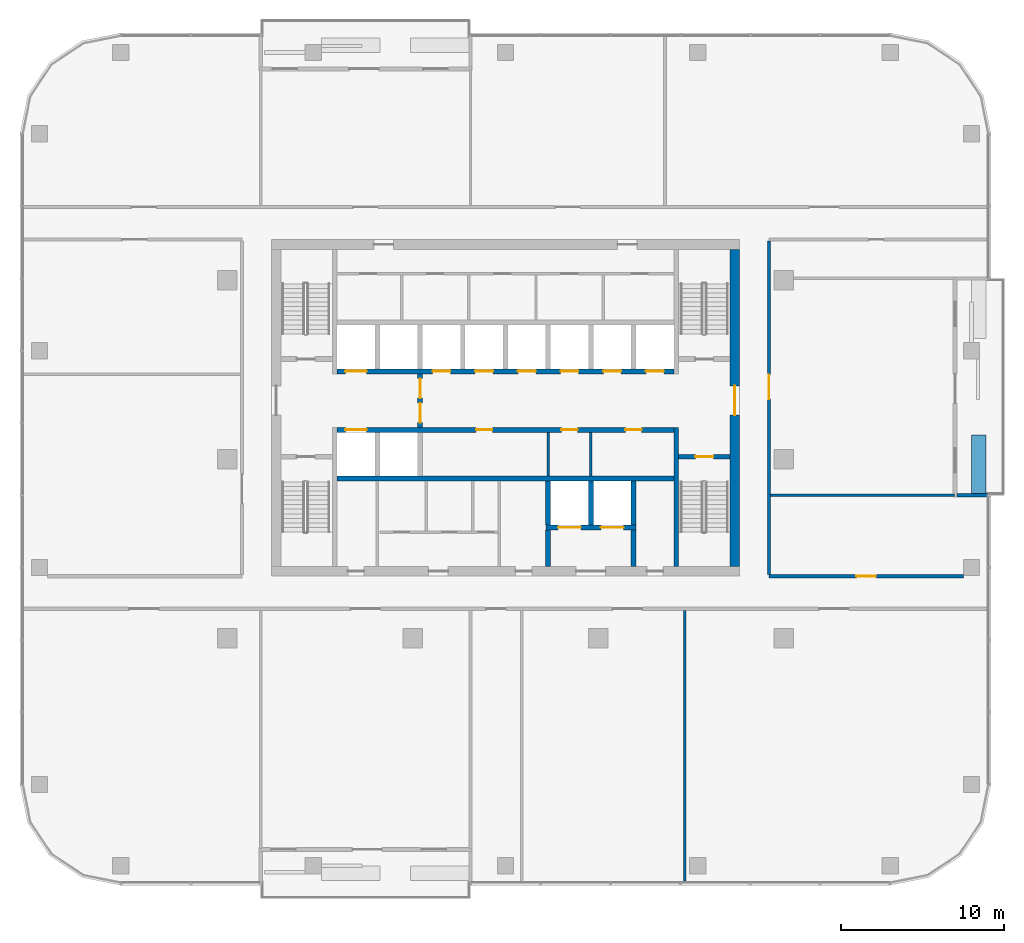
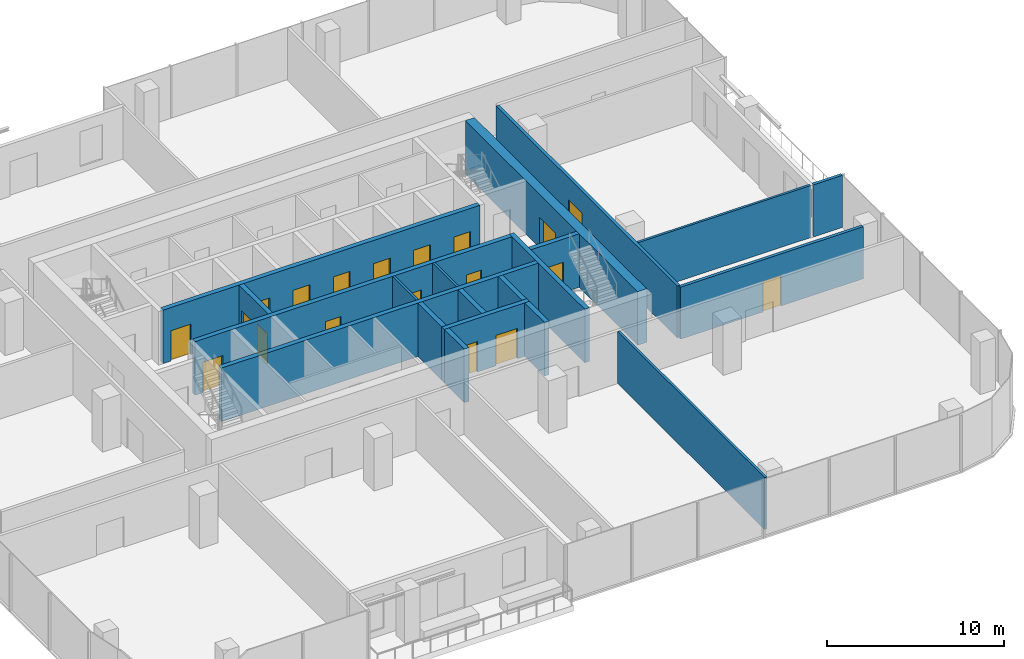
# One storey, part 8 of 13: 21 walls, 19 doors, 19 openings.
"""IFC4 building model written with IfcOpenShell, lengths in metres."""

import ifcopenshell
import ifcopenshell.guid

model = None  # the IFC model being written
_history = None  # IfcOwnerHistory: only IFC2X3 demands one
_inside = {}  # id of a spatial element -> (the spatial element, [elements in it])
_under = {}  # id of a project, library or spatial element -> (it, [spatial elements below it])
_declared = {}  # id of a project -> (the project, [libraries it declares])
_typed = {}  # id of a type object -> (the type object, [elements of that type])
_made_of = {}  # id of a material, layer set ... -> (it, [elements and type objects made of it])


def new_model(schema):
    """Start an empty IFC model of exactly this schema.

    Asked for "IFC4X3", IfcOpenShell would pick the latest addendum, in which some entities
    have other attributes; the version numbers below select the first issue.
    IFC2X3 requires an IfcOwnerHistory on every rooted entity: one is made here for all.
    """
    global model, _history
    if schema == "IFC4X3":
        model = ifcopenshell.file(schema_version=(4, 3, 0, 0))
    else:
        model = ifcopenshell.file(schema=schema)
    _inside.clear()
    _under.clear()
    _declared.clear()
    _typed.clear()
    _made_of.clear()
    _history = None
    if model.schema == "IFC2X3":
        org = make("IfcOrganization", Name="unknown")
        user = make(
            "IfcPersonAndOrganization",
            ThePerson=make("IfcPerson", FamilyName="unknown"),
            TheOrganization=org,
        )
        app = make(
            "IfcApplication",
            ApplicationDeveloper=org,
            Version="unknown",
            ApplicationFullName="unknown",
            ApplicationIdentifier="unknown",
        )
        _history = make(
            "IfcOwnerHistory",
            OwningUser=user,
            OwningApplication=app,
            ChangeAction="ADDED",
            CreationDate=0,
        )
    return model


def make(cls, **values):
    """One entity of the class cls with the attributes given. An attribute that is None is left unset."""
    return model.create_entity(
        cls, **{name: value for name, value in values.items() if value is not None}
    )


def rooted(cls, **values):
    """An entity with a GlobalId (a new one), such as an element, a storey or a relation."""
    return make(cls, GlobalId=ifcopenshell.guid.new(), OwnerHistory=_history, **values)


def si_unit(unit_type, name, prefix=None):
    """IfcSIUnit, for example si_unit("LENGTHUNIT", "METRE", prefix="MILLI")."""
    return make("IfcSIUnit", UnitType=unit_type, Prefix=prefix, Name=name)


def assignment(units):
    """IfcUnitAssignment: the units of a project."""
    return None if units is None else make("IfcUnitAssignment", Units=units)


def point(xyz):
    """IfcCartesianPoint."""
    return None if xyz is None else make("IfcCartesianPoint", Coordinates=xyz)


def direction(xyz):
    """IfcDirection."""
    return None if xyz is None else make("IfcDirection", DirectionRatios=xyz)


def frame(location, z_axis=None, x_axis=None):
    """IfcAxis2Placement3D, a coordinate frame: its origin and axes. An axis left out is left unset."""
    return make(
        "IfcAxis2Placement3D",
        Location=point(location),
        Axis=direction(z_axis),
        RefDirection=direction(x_axis),
    )


def frame_2d(location, x_axis=None):
    """IfcAxis2Placement2D, a coordinate frame in the plane: its origin and x axis."""
    return make(
        "IfcAxis2Placement2D", Location=point(location), RefDirection=direction(x_axis)
    )


def origin():
    """The frame at (0, 0, 0) with its axes left unset."""
    return frame((0.0, 0.0, 0.0))


def place(relative_to, where):
    """IfcLocalPlacement: puts the frame where relative to a parent placement (None: the world)."""
    return make(
        "IfcLocalPlacement", PlacementRelTo=relative_to, RelativePlacement=where
    )


def context(
    kind, dimensions, precision=None, world=None, true_north=None, identifier=None
):
    """IfcGeometricRepresentationContext, for example the 3D "Model" context."""
    return make(
        "IfcGeometricRepresentationContext",
        ContextIdentifier=identifier,
        ContextType=kind,
        CoordinateSpaceDimension=dimensions,
        Precision=precision,
        WorldCoordinateSystem=world,
        TrueNorth=true_north,
    )


def subcontext(parent, identifier, kind, view, scale=None):
    """IfcGeometricRepresentationSubContext, for example "Body" below "Model"."""
    return make(
        "IfcGeometricRepresentationSubContext",
        ContextIdentifier=identifier,
        ContextType=kind,
        ParentContext=parent,
        TargetScale=scale,
        TargetView=view,
    )


def project(units=None, contexts=None):
    """IfcProject with its units and contexts."""
    return rooted(
        "IfcProject",
        Name="project",
        RepresentationContexts=contexts,
        UnitsInContext=assignment(units),
    )


def spatial(cls, under=None, at=None, **own):
    """A site, building, storey or space (cls), placed at a placement, below another one or the project."""
    s = rooted(cls, ObjectPlacement=at, **own)
    if under is not None:
        _under.setdefault(under.id(), (under, []))[1].append(s)
    return s


def profile(cls, at=None, kind="AREA", **sizes):
    """A parametric profile (cls). Its sizes go by their IFC names, for example OverallWidth=200.0."""
    return make(cls, ProfileType=kind, Position=at, **sizes)


def rectangle(**sizes):
    """IfcRectangleProfileDef."""
    return profile("IfcRectangleProfileDef", **sizes)


def extrude(swept, where, along, depth):
    """IfcExtrudedAreaSolid: the profile swept, set in the frame where, extruded along a direction by depth."""
    return make(
        "IfcExtrudedAreaSolid",
        SweptArea=swept,
        Position=where,
        ExtrudedDirection=direction(along),
        Depth=depth,
    )


def shape(context_of_items, identifier, shape_type, items):
    """IfcShapeRepresentation: the items that make up one representation, for example the "Body"."""
    return make(
        "IfcShapeRepresentation",
        ContextOfItems=context_of_items,
        RepresentationIdentifier=identifier,
        RepresentationType=shape_type,
        Items=items,
    )


def material(Name=None, Category=None):
    """IfcMaterial."""
    return make("IfcMaterial", Name=Name, Category=Category)


def layer(
    of_material, thickness, ventilated=None, Name=None, Category=None, Priority=None
):
    """IfcMaterialLayer: one layer of a wall or slab, of a material (None: an air gap)."""
    return make(
        "IfcMaterialLayer",
        Material=of_material,
        LayerThickness=thickness,
        IsVentilated=ventilated,
        Name=Name,
        Category=Category,
        Priority=Priority,
    )


def layer_set(layers, Name=None):
    """IfcMaterialLayerSet."""
    return make("IfcMaterialLayerSet", MaterialLayers=layers, LayerSetName=Name)


def made_of(thing, what):
    """Note that an element or type object is made of a material, layer set ...; save() writes the relation."""
    if what is not None:
        _made_of.setdefault(what.id(), (what, []))[1].append(thing)
    return thing


def type_object(cls, material=None, **own):
    """A type object (cls), such as IfcWallType, which elements share."""
    return made_of(rooted(cls, **own), material)


def element(
    cls,
    number,
    at=None,
    inside=None,
    cuts=None,
    type_object=None,
    material=None,
    context=None,
    identifier="Body",
    shape_type=None,
    held_by="IfcProductDefinitionShape",
    body=None,
    shapes=None,
    **own,
):
    """One element of the class cls, such as IfcWall. Its Tag is "e" and its number.

    at: its placement. inside: the storey or other place that contains it. cuts: it is an
    opening in that element (IfcRelVoidsElement). A single representation is given by context,
    identifier, shape_type and body (its items); several are given by shapes. held_by: the class
    of the entity that holds the representations. save() writes the other relations.
    """
    e = rooted(cls, Tag="e%d" % number, ObjectPlacement=at, **own)
    if body is not None:
        shapes = [shape(context, identifier, shape_type, body)]
    if shapes is not None:
        e.Representation = make(held_by, Representations=shapes)
    if inside is not None:
        _inside.setdefault(inside.id(), (inside, []))[1].append(e)
    if cuts is not None:
        rooted(
            "IfcRelVoidsElement", RelatingBuildingElement=cuts, RelatedOpeningElement=e
        )
    if type_object is not None:
        _typed.setdefault(type_object.id(), (type_object, []))[1].append(e)
    return made_of(e, material)


def fill(opening, filler):
    """IfcRelFillsElement: the door or window that sits in an opening."""
    return rooted(
        "IfcRelFillsElement",
        RelatingOpeningElement=opening,
        RelatedBuildingElement=filler,
    )


def aggregate(whole, parts):
    """IfcRelAggregates: a whole, such as a stair, and the parts it consists of."""
    return rooted("IfcRelAggregates", RelatingObject=whole, RelatedObjects=parts)


def save(model, path):
    """Write the relations noted so far, then the file.

    IfcRelAggregates (storeys below a building ...), IfcRelContainedInSpatialStructure (elements
    in a storey), IfcRelDefinesByType, IfcRelAssociatesMaterial and IfcRelDeclares: one each for
    every whole, place, type object, material and project.
    """
    for whole, parts in _under.values():
        aggregate(whole, parts)
    for where, things in _inside.values():
        rooted(
            "IfcRelContainedInSpatialStructure",
            RelatedElements=things,
            RelatingStructure=where,
        )
    for kind, things in _typed.values():
        rooted("IfcRelDefinesByType", RelatedObjects=things, RelatingType=kind)
    for what, things in _made_of.values():
        rooted("IfcRelAssociatesMaterial", RelatedObjects=things, RelatingMaterial=what)
    for by, libraries in _declared.values():
        rooted("IfcRelDeclares", RelatingContext=by, RelatedDefinitions=libraries)
    model.write(path)


model = new_model("IFC4")

# Units and contexts
model_context = context("Model", 3, precision=1e-05, world=origin(), true_north=direction((0.0, 1.0)))
body_context = subcontext(model_context, "Body", "Model", "MODEL_VIEW")
ifc_project = project(units=[si_unit("LENGTHUNIT", "METRE"), si_unit("AREAUNIT", "SQUARE_METRE"), si_unit("VOLUMEUNIT", "CUBIC_METRE"), si_unit("PLANEANGLEUNIT", "RADIAN"), si_unit("MASSUNIT", "GRAM", prefix="KILO")], contexts=[model_context])

# Site, building, storey
site_placement = place(None, origin())
site = spatial("IfcSite", under=ifc_project, at=site_placement, CompositionType="ELEMENT")
building_placement = place(site_placement, origin())
building = spatial("IfcBuilding", under=site, at=building_placement, Name="Mopane Tessera Tower", CompositionType="ELEMENT")
storey_placement = place(building_placement, frame((0.0, 0.0, 299.39990234375)))
storey = spatial("IfcBuildingStorey", under=building, at=storey_placement, Name="L65", CompositionType="ELEMENT", Elevation=299.39990234375)

# Walls
ifc_material_1 = material(Name="Fire-rated gypsum board partition")
ifc_layer_1 = layer(ifc_material_1, 0.14990234375)
ifc_layer_set_1 = layer_set([ifc_layer_1], Name="Fire-rated gypsum board partition")
wall_type_1 = type_object("IfcWallType", Name="Core room partition 150 mm", PredefinedType="PARTITIONING", material=ifc_layer_set_1)
for number, where, z_axis, x_axis, name in (
    (1, (2.625, -1.050048828125, 0.0), (0.0, 0.0, 1.0), (0.0, 1.0, 0.0), "L65 Room partition"),
    (2, (5.25, -1.050048828125, 0.0), (0.0, 0.0, 1.0), (0.0, 1.0, 0.0), "L65 Room partition"),
):
    element("IfcWall", number, at=place(storey_placement, frame(where, z_axis=z_axis, x_axis=x_axis)), inside=storey, type_object=wall_type_1, Name=name, PredefinedType="PARTITIONING", context=body_context, shape_type="SweptSolid", body=[
        extrude(rectangle(XDim=2.699951171875, YDim=0.14990234375, at=frame_2d((1.35009765625, 0.0))), origin(), (0.0, 0.0, 1.0), 3.7001953125),
    ])

# Wall, opening, door
ifc_material_2 = material(Name="Concrete C70/85", Category="concrete")
ifc_layer_2 = layer(ifc_material_2, 0.60009765625)
ifc_layer_set_2 = layer_set([ifc_layer_2], Name="Concrete C70/85")
wall_type_2 = type_object("IfcWallType", Name="Core shear wall 600 mm", PredefinedType="SHEAR", material=ifc_layer_set_2)
wall_1_placement = place(storey_placement, frame((14.10009765625, -6.60009765625, 0.0), z_axis=(0.0, 0.0, 1.0), x_axis=(0.0, 1.0, 0.0)))
wall_1 = element("IfcWall", 3, at=wall_1_placement, inside=storey, type_object=wall_type_2, Name="L65 Core wall east", PredefinedType="SHEAR", context=body_context, shape_type="SweptSolid", body=[
    extrude(rectangle(XDim=19.5, YDim=0.60009765625, at=frame_2d((9.75, 0.0))), origin(), (0.0, 0.0, 1.0), 3.7001953125),
])
opening_1_placement = place(wall_1_placement, frame((9.300048828125, 0.0, 0.0)))
opening_1 = element("IfcOpeningElement", 4, at=opening_1_placement, cuts=wall_1, Name="Opening SD2", PredefinedType="OPENING", context=body_context, shape_type="SweptSolid", body=[
    extrude(rectangle(XDim=1.800048828125, YDim=2.10009765625, at=frame_2d((0.89990234375, 1.050048828125))), frame((0.0, 0.31201171875, 0.0), z_axis=(0.0, -1.0, 0.0), x_axis=(1.0, 0.0, 0.0)), (0.0, 0.0, 1.0), 0.6240234375),
])
ifc_material_3 = material(Name="Steel fire door", Category="steel")
door_type_1 = type_object("IfcDoorType", Name="Core entrance double door 1800 x 2100", OperationType="DOUBLE_DOOR_SINGLE_SWING", PredefinedType="DOOR", material=ifc_material_3)
door_1_placement = place(opening_1_placement, origin())
door_1 = element("IfcDoor", 5, at=door_1_placement, inside=storey, type_object=door_type_1, Name="L65 Core entrance door east", OperationType="DOUBLE_DOOR_SINGLE_SWING", OverallHeight=2.10009765625, OverallWidth=1.800048828125, PredefinedType="DOOR", context=body_context, shape_type="SweptSolid", body=[
    extrude(rectangle(XDim=1.800048828125, YDim=2.10009765625, at=frame_2d((0.89990234375, 1.050048828125))), frame((0.0, 0.02490234375, 0.0), z_axis=(0.0, -1.0, 0.0), x_axis=(1.0, 0.0, 0.0)), (0.0, 0.0, 1.0), 0.050048828125),
])
fill(opening_1, door_1)

# Wall
ifc_material_4 = material(Name="Concrete C60/75", Category="concrete")
ifc_layer_3 = layer(ifc_material_4, 0.300048828125)
ifc_layer_set_3 = layer_set([ifc_layer_3], Name="Concrete C60/75")
wall_type_3 = type_object("IfcWallType", Name="Core spine wall 300 mm", PredefinedType="SHEAR", material=ifc_layer_set_3)
wall_2_placement = place(storey_placement, frame((10.5, -6.60009765625, 0.0), z_axis=(0.0, 0.0, 1.0), x_axis=(0.0, 1.0, 0.0)))
element("IfcWall", 6, at=wall_2_placement, inside=storey, type_object=wall_type_3, Name="L65 Core spine wall", PredefinedType="SHEAR", context=body_context, shape_type="SweptSolid", body=[
    extrude(rectangle(XDim=8.550048828125, YDim=0.300048828125, at=frame_2d((4.27490234375, 0.0))), origin(), (0.0, 0.0, 1.0), 3.7001953125),
])

# Wall, opening, door
ifc_material_5 = material(Name="Gypsum board on steel studs, two layers each face, mineral wool infill", Category="steel")
ifc_layer_4 = layer(ifc_material_5, 0.199951171875)
ifc_layer_set_4 = layer_set([ifc_layer_4], Name="Gypsum board on steel studs, two layers each face, mineral wool infill")
wall_type_4 = type_object("IfcWallType", Name="Gypsum board corridor wall 200, rated EI 60", PredefinedType="PARTITIONING", material=ifc_layer_set_4)
wall_3_placement = place(storey_placement, frame((16.199951171875, -7.199951171875, 0.0), z_axis=(0.0, 0.0, 1.0), x_axis=(1.0, 0.0, 0.0)))
wall_3 = element("IfcWall", 7, at=wall_3_placement, inside=storey, type_object=wall_type_4, Name="Partition L65:002", PredefinedType="PARTITIONING", context=body_context, shape_type="SweptSolid", body=[
    extrude(rectangle(XDim=11.949951171875, YDim=0.199951171875, at=frame_2d((5.97509765625, 0.0))), origin(), (0.0, 0.0, 1.0), 3.60009765625),
])
opening_2_placement = place(wall_3_placement, frame((5.375, 0.0, 0.0)))
opening_2 = element("IfcOpeningElement", 8, at=opening_2_placement, cuts=wall_3, Name="Opening L65-08", PredefinedType="OPENING", context=body_context, shape_type="SweptSolid", body=[
    extrude(rectangle(XDim=1.199951171875, YDim=2.10009765625, at=frame_2d((0.60009765625, 1.050048828125))), frame((0.0, 0.112060546875, 0.0), z_axis=(0.0, -1.0, 0.0), x_axis=(1.0, 0.0, 0.0)), (0.0, 0.0, 1.0), 0.223876953125),
])
ifc_material_6 = material(Name="Timber veneered steel-framed fire door", Category="steel")
door_type_2 = type_object("IfcDoorType", Name="Fire door FD60 1200 x 2100", OperationType="SINGLE_SWING_LEFT", PredefinedType="DOOR", material=ifc_material_6)
door_2_placement = place(opening_2_placement, origin())
door_2 = element("IfcDoor", 9, at=door_2_placement, inside=storey, type_object=door_type_2, Name="Door L65-08", ObjectType="D15A", OperationType="SINGLE_SWING_LEFT", OverallHeight=2.10009765625, OverallWidth=1.199951171875, PredefinedType="DOOR", context=body_context, shape_type="SweptSolid", body=[
    extrude(rectangle(XDim=1.199951171875, YDim=2.10009765625, at=frame_2d((0.60009765625, 1.050048828125))), frame((0.0, 0.02490234375, 0.0), z_axis=(0.0, -1.0, 0.0), x_axis=(1.0, 0.0, 0.0)), (0.0, 0.0, 1.0), 0.050048828125),
])
fill(opening_2, door_2)

wall_4_placement = place(storey_placement, frame((16.199951171875, -7.10009765625, 0.0), z_axis=(0.0, 0.0, 1.0), x_axis=(0.0, 1.0, 0.0)))
wall_4 = element("IfcWall", 10, at=wall_4_placement, inside=storey, type_object=wall_type_4, Name="Partition L65:017", PredefinedType="PARTITIONING", context=body_context, shape_type="SweptSolid", body=[
    extrude(rectangle(XDim=20.5, YDim=0.199951171875, at=frame_2d((10.25, 0.0))), origin(), (0.0, 0.0, 1.0), 3.60009765625),
])
opening_3_placement = place(wall_4_placement, frame((10.794921875, 0.0, 0.0)))
opening_3 = element("IfcOpeningElement", 11, at=opening_3_placement, cuts=wall_4, Name="Opening L65-11", PredefinedType="OPENING", context=body_context, shape_type="SweptSolid", body=[
    extrude(rectangle(XDim=1.5, YDim=2.10009765625, at=frame_2d((0.75, 1.050048828125))), frame((0.0, 0.112060546875, 0.0), z_axis=(0.0, -1.0, 0.0), x_axis=(1.0, 0.0, 0.0)), (0.0, 0.0, 1.0), 0.223876953125),
])
ifc_material_7 = material(Name="Timber veneered steel-framed fire door", Category="steel")
door_type_3 = type_object("IfcDoorType", Name="Fire door pair FD60 1500 x 2100", OperationType="DOUBLE_DOOR_SINGLE_SWING", PredefinedType="DOOR", material=ifc_material_7)
door_3_placement = place(opening_3_placement, origin())
door_3 = element("IfcDoor", 12, at=door_3_placement, inside=storey, type_object=door_type_3, Name="Door L65-11", ObjectType="D17A", OperationType="DOUBLE_DOOR_SINGLE_SWING", OverallHeight=2.10009765625, OverallWidth=1.5, PredefinedType="DOOR", context=body_context, shape_type="SweptSolid", body=[
    extrude(rectangle(XDim=1.5, YDim=2.10009765625, at=frame_2d((0.75, 1.050048828125))), frame((0.0, 0.02490234375, 0.0), z_axis=(0.0, -1.0, 0.0), x_axis=(1.0, 0.0, 0.0)), (0.0, 0.0, 1.0), 0.050048828125),
])
fill(opening_3, door_3)

# Walls
ifc_material_8 = material(Name="Gypsum board on steel studs, mineral wool infill", Category="steel")
ifc_layer_5 = layer(ifc_material_8, 0.14990234375)
ifc_layer_set_5 = layer_set([ifc_layer_5], Name="Gypsum board on steel studs, mineral wool infill")
wall_type_5 = type_object("IfcWallType", Name="Gypsum board partition 150, rated EI 60", PredefinedType="PARTITIONING", material=ifc_layer_set_5)
wall_5_placement = place(storey_placement, frame((16.300048828125, -2.219970703125, 0.0), z_axis=(0.0, 0.0, 1.0), x_axis=(1.0, 0.0, 0.0)))
element("IfcWall", 13, at=wall_5_placement, inside=storey, type_object=wall_type_5, Name="Partition L65:003", PredefinedType="PARTITIONING", context=body_context, shape_type="SweptSolid", body=[
    extrude(rectangle(XDim=11.300048828125, YDim=0.14990234375, at=frame_2d((5.64990234375, 0.0))), origin(), (0.0, 0.0, 1.0), 3.60009765625),
])
wall_6_placement = place(storey_placement, frame((11.010009765625, -25.949951171875, 0.0), z_axis=(0.0, 0.0, 1.0), x_axis=(0.0, 1.0, 0.0)))
element("IfcWall", 14, at=wall_6_placement, inside=storey, type_object=wall_type_5, Name="Partition L65:016", PredefinedType="PARTITIONING", context=body_context, shape_type="SweptSolid", body=[
    extrude(rectangle(XDim=16.64990234375, YDim=0.14990234375, at=frame_2d((8.324951171875, 0.0))), origin(), (0.0, 0.0, 1.0), 3.60009765625),
])

# Wall, opening, door
ifc_material_9 = material(Name="Concrete C50/60", Category="concrete")
ifc_layer_6 = layer(ifc_material_9, 0.300048828125)
ifc_layer_set_6 = layer_set([ifc_layer_6], Name="Concrete C50/60")
wall_type_6 = type_object("IfcWallType", Name="Lift and stair shaft wall 300 mm", PredefinedType="SOLIDWALL", material=ifc_layer_set_6)
wall_7_placement = place(storey_placement, frame((10.64990234375, 0.14990234375, 0.0), z_axis=(0.0, 0.0, 1.0), x_axis=(1.0, 0.0, 0.0)))
wall_7 = element("IfcWall", 15, at=wall_7_placement, inside=storey, type_object=wall_type_6, Name="L65 Stair enclosure wall", PredefinedType="SOLIDWALL", context=body_context, shape_type="SweptSolid", body=[
    extrude(rectangle(XDim=3.150146484375, YDim=0.300048828125, at=frame_2d((1.5751953125, 0.0))), origin(), (0.0, 0.0, 1.0), 3.7001953125),
])
opening_4_placement = place(wall_7_placement, frame((1.02490234375, 0.0, 0.0)))
opening_4 = element("IfcOpeningElement", 16, at=opening_4_placement, cuts=wall_7, Name="Opening SD1", PredefinedType="OPENING", context=body_context, shape_type="SweptSolid", body=[
    extrude(rectangle(XDim=1.10009765625, YDim=2.10009765625, at=frame_2d((0.550048828125, 1.050048828125))), frame((0.0, 0.162109375, 0.0), z_axis=(0.0, -1.0, 0.0), x_axis=(1.0, 0.0, 0.0)), (0.0, 0.0, 1.0), 0.323974609375),
])
ifc_material_10 = material(Name="Steel fire door", Category="steel")
door_type_4 = type_object("IfcDoorType", Name="Stair fire door 1100 x 2100", OperationType="SINGLE_SWING_LEFT", PredefinedType="DOOR", material=ifc_material_10)
door_4_placement = place(opening_4_placement, origin())
door_4 = element("IfcDoor", 17, at=door_4_placement, inside=storey, type_object=door_type_4, Name="L65 Stair door ST3", OperationType="SINGLE_SWING_RIGHT", OverallHeight=2.10009765625, OverallWidth=1.10009765625, PredefinedType="DOOR", context=body_context, shape_type="SweptSolid", body=[
    extrude(rectangle(XDim=1.10009765625, YDim=2.10009765625, at=frame_2d((0.550048828125, 1.050048828125))), frame((0.0, 0.02490234375, 0.0), z_axis=(0.0, -1.0, 0.0), x_axis=(1.0, 0.0, 0.0)), (0.0, 0.0, 1.0), 0.050048828125),
])
fill(opening_4, door_4)

# Wall
wall_8_placement = place(storey_placement, frame((-10.35009765625, -1.199951171875, 0.0), z_axis=(0.0, 0.0, 1.0), x_axis=(1.0, 0.0, 0.0)))
element("IfcWall", 18, at=wall_8_placement, inside=storey, type_object=wall_type_6, Name="L65 Lift shaft rear wall", PredefinedType="SOLIDWALL", context=body_context, shape_type="SweptSolid", body=[
    extrude(rectangle(XDim=20.7001953125, YDim=0.300048828125, at=frame_2d((10.35009765625, 0.0))), origin(), (0.0, 0.0, 1.0), 3.7001953125),
])

# Wall, openings, doors
wall_9_placement = place(storey_placement, frame((-10.35009765625, 1.800048828125, 0.0), z_axis=(0.0, 0.0, 1.0), x_axis=(1.0, 0.0, 0.0)))
wall_9 = element("IfcWall", 19, at=wall_9_placement, inside=storey, type_object=wall_type_6, Name="L65 Lift shaft front wall", PredefinedType="SOLIDWALL", context=body_context, shape_type="SweptSolid", body=[
    extrude(rectangle(XDim=20.7001953125, YDim=0.300048828125, at=frame_2d((10.35009765625, 0.0))), origin(), (0.0, 0.0, 1.0), 3.7001953125),
])
opening_5_placement = place(wall_9_placement, frame((0.512451171875, 0.0, 0.0)))
opening_5 = element("IfcOpeningElement", 20, at=opening_5_placement, cuts=wall_9, Name="Opening LD2", PredefinedType="OPENING", context=body_context, shape_type="SweptSolid", body=[
    extrude(rectangle(XDim=1.300048828125, YDim=2.10009765625, at=frame_2d((0.64990234375, 1.050048828125))), frame((0.0, 0.162109375, 0.0), z_axis=(0.0, -1.0, 0.0), x_axis=(1.0, 0.0, 0.0)), (0.0, 0.0, 1.0), 0.323974609375),
])
opening_6_placement = place(wall_9_placement, frame((8.53759765625, 0.0, 0.0)))
opening_6 = element("IfcOpeningElement", 21, at=opening_6_placement, cuts=wall_9, Name="Opening RD1", PredefinedType="OPENING", context=body_context, shape_type="SweptSolid", body=[
    extrude(rectangle(XDim=1.0, YDim=2.10009765625, at=frame_2d((0.5, 1.050048828125))), frame((0.0, 0.162109375, 0.0), z_axis=(0.0, -1.0, 0.0), x_axis=(1.0, 0.0, 0.0)), (0.0, 0.0, 1.0), 0.323974609375),
])
opening_7_placement = place(wall_9_placement, frame((13.78759765625, 0.0, 0.0)))
opening_7 = element("IfcOpeningElement", 22, at=opening_7_placement, cuts=wall_9, Name="Opening RD1", PredefinedType="OPENING", context=body_context, shape_type="SweptSolid", body=[
    extrude(rectangle(XDim=1.0, YDim=2.10009765625, at=frame_2d((0.5, 1.050048828125))), frame((0.0, 0.162109375, 0.0), z_axis=(0.0, -1.0, 0.0), x_axis=(1.0, 0.0, 0.0)), (0.0, 0.0, 1.0), 0.323974609375),
])
opening_8_placement = place(wall_9_placement, frame((17.72509765625, 0.0, 0.0)))
opening_8 = element("IfcOpeningElement", 23, at=opening_8_placement, cuts=wall_9, Name="Opening RD1", PredefinedType="OPENING", context=body_context, shape_type="SweptSolid", body=[
    extrude(rectangle(XDim=1.0, YDim=2.10009765625, at=frame_2d((0.5, 1.050048828125))), frame((0.0, 0.162109375, 0.0), z_axis=(0.0, -1.0, 0.0), x_axis=(1.0, 0.0, 0.0)), (0.0, 0.0, 1.0), 0.323974609375),
])
ifc_material_11 = material(Name="Timber door", Category="wood")
door_type_5 = type_object("IfcDoorType", Name="Core room door 1000 x 2100", OperationType="SINGLE_SWING_LEFT", PredefinedType="DOOR", material=ifc_material_11)
door_5_placement = place(opening_6_placement, origin())
door_5 = element("IfcDoor", 24, at=door_5_placement, inside=storey, type_object=door_type_5, Name="L65 Room door", OperationType="SINGLE_SWING_LEFT", OverallHeight=2.10009765625, OverallWidth=1.0, PredefinedType="DOOR", context=body_context, shape_type="SweptSolid", body=[
    extrude(rectangle(XDim=1.0, YDim=2.10009765625, at=frame_2d((0.5, 1.050048828125))), frame((0.0, 0.02490234375, 0.0), z_axis=(0.0, -1.0, 0.0), x_axis=(1.0, 0.0, 0.0)), (0.0, 0.0, 1.0), 0.050048828125),
])
fill(opening_6, door_5)
door_6_placement = place(opening_7_placement, origin())
door_6 = element("IfcDoor", 25, at=door_6_placement, inside=storey, type_object=door_type_5, Name="L65 Room door", OperationType="SINGLE_SWING_LEFT", OverallHeight=2.10009765625, OverallWidth=1.0, PredefinedType="DOOR", context=body_context, shape_type="SweptSolid", body=[
    extrude(rectangle(XDim=1.0, YDim=2.10009765625, at=frame_2d((0.5, 1.050048828125))), frame((0.0, 0.02490234375, 0.0), z_axis=(0.0, -1.0, 0.0), x_axis=(1.0, 0.0, 0.0)), (0.0, 0.0, 1.0), 0.050048828125),
])
fill(opening_7, door_6)
door_7_placement = place(opening_8_placement, origin())
door_7 = element("IfcDoor", 26, at=door_7_placement, inside=storey, type_object=door_type_5, Name="L65 Room door", OperationType="SINGLE_SWING_LEFT", OverallHeight=2.10009765625, OverallWidth=1.0, PredefinedType="DOOR", context=body_context, shape_type="SweptSolid", body=[
    extrude(rectangle(XDim=1.0, YDim=2.10009765625, at=frame_2d((0.5, 1.050048828125))), frame((0.0, 0.02490234375, 0.0), z_axis=(0.0, -1.0, 0.0), x_axis=(1.0, 0.0, 0.0)), (0.0, 0.0, 1.0), 0.050048828125),
])
fill(opening_8, door_7)
ifc_material_12 = material(Name="Stainless steel sliding door", Category="steel")
door_type_6 = type_object("IfcDoorType", Name="Fire-fighting lift landing door 1300 x 2100", OperationType="DOUBLE_DOOR_SLIDING", PredefinedType="DOOR", material=ifc_material_12)
door_8_placement = place(opening_5_placement, origin())
door_8 = element("IfcDoor", 27, at=door_8_placement, inside=storey, type_object=door_type_6, Name="L65 Lift landing door FF1", OperationType="DOUBLE_DOOR_SLIDING", OverallHeight=2.10009765625, OverallWidth=1.300048828125, PredefinedType="DOOR", context=body_context, shape_type="SweptSolid", body=[
    extrude(rectangle(XDim=1.300048828125, YDim=2.10009765625, at=frame_2d((0.64990234375, 1.050048828125))), frame((0.0, 0.02490234375, 0.0), z_axis=(0.0, -1.0, 0.0), x_axis=(1.0, 0.0, 0.0)), (0.0, 0.0, 1.0), 0.050048828125),
])
fill(opening_5, door_8)

wall_10_placement = place(storey_placement, frame((-10.35009765625, 5.39990234375, 0.0), z_axis=(0.0, 0.0, 1.0), x_axis=(1.0, 0.0, 0.0)))
wall_10 = element("IfcWall", 28, at=wall_10_placement, inside=storey, type_object=wall_type_6, Name="L65 Lift shaft front wall", PredefinedType="SOLIDWALL", context=body_context, shape_type="SweptSolid", body=[
    extrude(rectangle(XDim=20.7001953125, YDim=0.300048828125, at=frame_2d((10.35009765625, 0.0))), origin(), (0.0, 0.0, 1.0), 3.7001953125),
])
opening_9_placement = place(wall_10_placement, frame((0.512451171875, 0.0, 0.0)))
opening_9 = element("IfcOpeningElement", 29, at=opening_9_placement, cuts=wall_10, Name="Opening LD2", PredefinedType="OPENING", context=body_context, shape_type="SweptSolid", body=[
    extrude(rectangle(XDim=1.300048828125, YDim=2.10009765625, at=frame_2d((0.64990234375, 1.050048828125))), frame((0.0, 0.162109375, 0.0), z_axis=(0.0, -1.0, 0.0), x_axis=(1.0, 0.0, 0.0)), (0.0, 0.0, 1.0), 0.323974609375),
])
opening_10_placement = place(wall_10_placement, frame((5.862548828125, 0.0, 0.0)))
opening_10 = element("IfcOpeningElement", 30, at=opening_10_placement, cuts=wall_10, Name="Opening LD", PredefinedType="OPENING", context=body_context, shape_type="SweptSolid", body=[
    extrude(rectangle(XDim=1.10009765625, YDim=2.10009765625, at=frame_2d((0.550048828125, 1.050048828125))), frame((0.0, 0.162109375, 0.0), z_axis=(0.0, -1.0, 0.0), x_axis=(1.0, 0.0, 0.0)), (0.0, 0.0, 1.0), 0.323974609375),
])
opening_11_placement = place(wall_10_placement, frame((8.487548828125, 0.0, 0.0)))
opening_11 = element("IfcOpeningElement", 31, at=opening_11_placement, cuts=wall_10, Name="Opening LD", PredefinedType="OPENING", context=body_context, shape_type="SweptSolid", body=[
    extrude(rectangle(XDim=1.10009765625, YDim=2.10009765625, at=frame_2d((0.550048828125, 1.050048828125))), frame((0.0, 0.162109375, 0.0), z_axis=(0.0, -1.0, 0.0), x_axis=(1.0, 0.0, 0.0)), (0.0, 0.0, 1.0), 0.323974609375),
])
opening_12_placement = place(wall_10_placement, frame((11.112548828125, 0.0, 0.0)))
opening_12 = element("IfcOpeningElement", 32, at=opening_12_placement, cuts=wall_10, Name="Opening LD", PredefinedType="OPENING", context=body_context, shape_type="SweptSolid", body=[
    extrude(rectangle(XDim=1.10009765625, YDim=2.10009765625, at=frame_2d((0.550048828125, 1.050048828125))), frame((0.0, 0.162109375, 0.0), z_axis=(0.0, -1.0, 0.0), x_axis=(1.0, 0.0, 0.0)), (0.0, 0.0, 1.0), 0.323974609375),
])
opening_13_placement = place(wall_10_placement, frame((13.737548828125, 0.0, 0.0)))
opening_13 = element("IfcOpeningElement", 33, at=opening_13_placement, cuts=wall_10, Name="Opening LD", PredefinedType="OPENING", context=body_context, shape_type="SweptSolid", body=[
    extrude(rectangle(XDim=1.10009765625, YDim=2.10009765625, at=frame_2d((0.550048828125, 1.050048828125))), frame((0.0, 0.162109375, 0.0), z_axis=(0.0, -1.0, 0.0), x_axis=(1.0, 0.0, 0.0)), (0.0, 0.0, 1.0), 0.323974609375),
])
opening_14_placement = place(wall_10_placement, frame((16.362548828125, 0.0, 0.0)))
opening_14 = element("IfcOpeningElement", 34, at=opening_14_placement, cuts=wall_10, Name="Opening LD", PredefinedType="OPENING", context=body_context, shape_type="SweptSolid", body=[
    extrude(rectangle(XDim=1.10009765625, YDim=2.10009765625, at=frame_2d((0.550048828125, 1.050048828125))), frame((0.0, 0.162109375, 0.0), z_axis=(0.0, -1.0, 0.0), x_axis=(1.0, 0.0, 0.0)), (0.0, 0.0, 1.0), 0.323974609375),
])
opening_15_placement = place(wall_10_placement, frame((18.987548828125, 0.0, 0.0)))
opening_15 = element("IfcOpeningElement", 35, at=opening_15_placement, cuts=wall_10, Name="Opening LD", PredefinedType="OPENING", context=body_context, shape_type="SweptSolid", body=[
    extrude(rectangle(XDim=1.10009765625, YDim=2.10009765625, at=frame_2d((0.550048828125, 1.050048828125))), frame((0.0, 0.162109375, 0.0), z_axis=(0.0, -1.0, 0.0), x_axis=(1.0, 0.0, 0.0)), (0.0, 0.0, 1.0), 0.323974609375),
])
door_9_placement = place(opening_9_placement, origin())
door_9 = element("IfcDoor", 36, at=door_9_placement, inside=storey, type_object=door_type_6, Name="L65 Lift landing door FF2", OperationType="DOUBLE_DOOR_SLIDING", OverallHeight=2.10009765625, OverallWidth=1.300048828125, PredefinedType="DOOR", context=body_context, shape_type="SweptSolid", body=[
    extrude(rectangle(XDim=1.300048828125, YDim=2.10009765625, at=frame_2d((0.64990234375, 1.050048828125))), frame((0.0, 0.02490234375, 0.0), z_axis=(0.0, -1.0, 0.0), x_axis=(1.0, 0.0, 0.0)), (0.0, 0.0, 1.0), 0.050048828125),
])
fill(opening_9, door_9)
ifc_material_13 = material(Name="Stainless steel sliding door", Category="steel")
door_type_7 = type_object("IfcDoorType", Name="Lift landing door 1100 x 2100", OperationType="DOUBLE_DOOR_SLIDING", PredefinedType="DOOR", material=ifc_material_13)
door_10_placement = place(opening_10_placement, origin())
door_10 = element("IfcDoor", 37, at=door_10_placement, inside=storey, type_object=door_type_7, Name="L65 Lift landing door HR1", OperationType="DOUBLE_DOOR_SLIDING", OverallHeight=2.10009765625, OverallWidth=1.10009765625, PredefinedType="DOOR", context=body_context, shape_type="SweptSolid", body=[
    extrude(rectangle(XDim=1.10009765625, YDim=2.10009765625, at=frame_2d((0.550048828125, 1.050048828125))), frame((0.0, 0.02490234375, 0.0), z_axis=(0.0, -1.0, 0.0), x_axis=(1.0, 0.0, 0.0)), (0.0, 0.0, 1.0), 0.050048828125),
])
fill(opening_10, door_10)
door_11_placement = place(opening_11_placement, origin())
door_11 = element("IfcDoor", 38, at=door_11_placement, inside=storey, type_object=door_type_7, Name="L65 Lift landing door HR2", OperationType="DOUBLE_DOOR_SLIDING", OverallHeight=2.10009765625, OverallWidth=1.10009765625, PredefinedType="DOOR", context=body_context, shape_type="SweptSolid", body=[
    extrude(rectangle(XDim=1.10009765625, YDim=2.10009765625, at=frame_2d((0.550048828125, 1.050048828125))), frame((0.0, 0.02490234375, 0.0), z_axis=(0.0, -1.0, 0.0), x_axis=(1.0, 0.0, 0.0)), (0.0, 0.0, 1.0), 0.050048828125),
])
fill(opening_11, door_11)
door_12_placement = place(opening_12_placement, origin())
door_12 = element("IfcDoor", 39, at=door_12_placement, inside=storey, type_object=door_type_7, Name="L65 Lift landing door HR3", OperationType="DOUBLE_DOOR_SLIDING", OverallHeight=2.10009765625, OverallWidth=1.10009765625, PredefinedType="DOOR", context=body_context, shape_type="SweptSolid", body=[
    extrude(rectangle(XDim=1.10009765625, YDim=2.10009765625, at=frame_2d((0.550048828125, 1.050048828125))), frame((0.0, 0.02490234375, 0.0), z_axis=(0.0, -1.0, 0.0), x_axis=(1.0, 0.0, 0.0)), (0.0, 0.0, 1.0), 0.050048828125),
])
fill(opening_12, door_12)
door_13_placement = place(opening_13_placement, origin())
door_13 = element("IfcDoor", 40, at=door_13_placement, inside=storey, type_object=door_type_7, Name="L65 Lift landing door HR4", OperationType="DOUBLE_DOOR_SLIDING", OverallHeight=2.10009765625, OverallWidth=1.10009765625, PredefinedType="DOOR", context=body_context, shape_type="SweptSolid", body=[
    extrude(rectangle(XDim=1.10009765625, YDim=2.10009765625, at=frame_2d((0.550048828125, 1.050048828125))), frame((0.0, 0.02490234375, 0.0), z_axis=(0.0, -1.0, 0.0), x_axis=(1.0, 0.0, 0.0)), (0.0, 0.0, 1.0), 0.050048828125),
])
fill(opening_13, door_13)
door_14_placement = place(opening_14_placement, origin())
door_14 = element("IfcDoor", 41, at=door_14_placement, inside=storey, type_object=door_type_7, Name="L65 Lift landing door HR5", OperationType="DOUBLE_DOOR_SLIDING", OverallHeight=2.10009765625, OverallWidth=1.10009765625, PredefinedType="DOOR", context=body_context, shape_type="SweptSolid", body=[
    extrude(rectangle(XDim=1.10009765625, YDim=2.10009765625, at=frame_2d((0.550048828125, 1.050048828125))), frame((0.0, 0.02490234375, 0.0), z_axis=(0.0, -1.0, 0.0), x_axis=(1.0, 0.0, 0.0)), (0.0, 0.0, 1.0), 0.050048828125),
])
fill(opening_14, door_14)
door_15_placement = place(opening_15_placement, origin())
door_15 = element("IfcDoor", 42, at=door_15_placement, inside=storey, type_object=door_type_7, Name="L65 Lift landing door HR6", OperationType="DOUBLE_DOOR_SLIDING", OverallHeight=2.10009765625, OverallWidth=1.10009765625, PredefinedType="DOOR", context=body_context, shape_type="SweptSolid", body=[
    extrude(rectangle(XDim=1.10009765625, YDim=2.10009765625, at=frame_2d((0.550048828125, 1.050048828125))), frame((0.0, 0.02490234375, 0.0), z_axis=(0.0, -1.0, 0.0), x_axis=(1.0, 0.0, 0.0)), (0.0, 0.0, 1.0), 0.050048828125),
])
fill(opening_15, door_15)

wall_11_placement = place(storey_placement, frame((2.47509765625, -4.199951171875, 0.0), z_axis=(0.0, 0.0, 1.0), x_axis=(1.0, 0.0, 0.0)))
wall_11 = element("IfcWall", 43, at=wall_11_placement, inside=storey, type_object=wall_type_6, Name="L65 Lift shaft front wall", PredefinedType="SOLIDWALL", context=body_context, shape_type="SweptSolid", body=[
    extrude(rectangle(XDim=5.5498046875, YDim=0.300048828125, at=frame_2d((2.77490234375, 0.0))), origin(), (0.0, 0.0, 1.0), 3.7001953125),
])
opening_16_placement = place(wall_11_placement, frame((0.762451171875, 0.0, 0.0)))
opening_16 = element("IfcOpeningElement", 44, at=opening_16_placement, cuts=wall_11, Name="Opening LD3", PredefinedType="OPENING", context=body_context, shape_type="SweptSolid", body=[
    extrude(rectangle(XDim=1.39990234375, YDim=2.10009765625, at=frame_2d((0.699951171875, 1.050048828125))), frame((0.0, 0.162109375, 0.0), z_axis=(0.0, -1.0, 0.0), x_axis=(1.0, 0.0, 0.0)), (0.0, 0.0, 1.0), 0.323974609375),
])
opening_17_placement = place(wall_11_placement, frame((3.387451171875, 0.0, 0.0)))
opening_17 = element("IfcOpeningElement", 45, at=opening_17_placement, cuts=wall_11, Name="Opening LD3", PredefinedType="OPENING", context=body_context, shape_type="SweptSolid", body=[
    extrude(rectangle(XDim=1.39990234375, YDim=2.10009765625, at=frame_2d((0.699951171875, 1.050048828125))), frame((0.0, 0.162109375, 0.0), z_axis=(0.0, -1.0, 0.0), x_axis=(1.0, 0.0, 0.0)), (0.0, 0.0, 1.0), 0.323974609375),
])
ifc_material_14 = material(Name="Stainless steel sliding door", Category="steel")
door_type_8 = type_object("IfcDoorType", Name="Service lift landing door 1400 x 2100", OperationType="DOUBLE_DOOR_SLIDING", PredefinedType="DOOR", material=ifc_material_14)
door_16_placement = place(opening_16_placement, origin())
door_16 = element("IfcDoor", 46, at=door_16_placement, inside=storey, type_object=door_type_8, Name="L65 Lift landing door SV1", OperationType="DOUBLE_DOOR_SLIDING", OverallHeight=2.10009765625, OverallWidth=1.39990234375, PredefinedType="DOOR", context=body_context, shape_type="SweptSolid", body=[
    extrude(rectangle(XDim=1.39990234375, YDim=2.10009765625, at=frame_2d((0.699951171875, 1.050048828125))), frame((0.0, 0.02490234375, 0.0), z_axis=(0.0, -1.0, 0.0), x_axis=(1.0, 0.0, 0.0)), (0.0, 0.0, 1.0), 0.050048828125),
])
fill(opening_16, door_16)
door_17_placement = place(opening_17_placement, origin())
door_17 = element("IfcDoor", 47, at=door_17_placement, inside=storey, type_object=door_type_8, Name="L65 Lift landing door SV2", OperationType="DOUBLE_DOOR_SLIDING", OverallHeight=2.10009765625, OverallWidth=1.39990234375, PredefinedType="DOOR", context=body_context, shape_type="SweptSolid", body=[
    extrude(rectangle(XDim=1.39990234375, YDim=2.10009765625, at=frame_2d((0.699951171875, 1.050048828125))), frame((0.0, 0.02490234375, 0.0), z_axis=(0.0, -1.0, 0.0), x_axis=(1.0, 0.0, 0.0)), (0.0, 0.0, 1.0), 0.050048828125),
])
fill(opening_17, door_17)

# Walls
for number, where, z_axis, x_axis, name in (
    (48, (2.625, -4.050048828125, 0.0), (0.0, 0.0, 1.0), (0.0, 1.0, 0.0), "L65 Lift shaft wall"),
    (49, (5.25, -4.050048828125, 0.0), (0.0, 0.0, 1.0), (0.0, 1.0, 0.0), "L65 Lift shaft wall"),
    (50, (7.875, -4.050048828125, 0.0), (0.0, 0.0, 1.0), (0.0, 1.0, 0.0), "L65 Lift shaft wall"),
):
    element("IfcWall", number, at=place(storey_placement, frame(where, z_axis=z_axis, x_axis=x_axis)), inside=storey, type_object=wall_type_6, Name=name, PredefinedType="SOLIDWALL", context=body_context, shape_type="SweptSolid", body=[
        extrude(rectangle(XDim=2.699951171875, YDim=0.300048828125, at=frame_2d((1.35009765625, 0.0))), origin(), (0.0, 0.0, 1.0), 3.7001953125),
    ])

# Wall, openings, doors
ifc_material_15 = material(Name="Concrete C50/60", Category="concrete")
ifc_layer_7 = layer(ifc_material_15, 0.300048828125)
ifc_layer_set_7 = layer_set([ifc_layer_7], Name="Concrete C50/60")
wall_type_7 = type_object("IfcWallType", Name="Lobby and refuge room wall 300 mm", PredefinedType="SOLIDWALL", material=ifc_layer_set_7)
wall_12_placement = place(storey_placement, frame((-5.25, 1.949951171875, 0.0), z_axis=(0.0, 0.0, 1.0), x_axis=(0.0, 1.0, 0.0)))
wall_12 = element("IfcWall", 51, at=wall_12_placement, inside=storey, type_object=wall_type_7, Name="L65 Fire-fighting lobby wall", PredefinedType="SOLIDWALL", context=body_context, shape_type="SweptSolid", body=[
    extrude(rectangle(XDim=3.300048828125, YDim=0.300048828125, at=frame_2d((1.64990234375, 0.0))), origin(), (0.0, 0.0, 1.0), 3.7001953125),
])
opening_18_placement = place(wall_12_placement, frame((0.300048828125, 0.0, 0.0)))
opening_18 = element("IfcOpeningElement", 52, at=opening_18_placement, cuts=wall_12, Name="Opening SD3", PredefinedType="OPENING", context=body_context, shape_type="SweptSolid", body=[
    extrude(rectangle(XDim=1.199951171875, YDim=2.10009765625, at=frame_2d((0.60009765625, 1.050048828125))), frame((0.0, 0.162109375, 0.0), z_axis=(0.0, -1.0, 0.0), x_axis=(1.0, 0.0, 0.0)), (0.0, 0.0, 1.0), 0.323974609375),
])
opening_19_placement = place(wall_12_placement, frame((1.800048828125, 0.0, 0.0)))
opening_19 = element("IfcOpeningElement", 53, at=opening_19_placement, cuts=wall_12, Name="Opening SD3", PredefinedType="OPENING", context=body_context, shape_type="SweptSolid", body=[
    extrude(rectangle(XDim=1.199951171875, YDim=2.10009765625, at=frame_2d((0.60009765625, 1.050048828125))), frame((0.0, 0.162109375, 0.0), z_axis=(0.0, -1.0, 0.0), x_axis=(1.0, 0.0, 0.0)), (0.0, 0.0, 1.0), 0.323974609375),
])
ifc_material_16 = material(Name="Steel fire door", Category="steel")
door_type_9 = type_object("IfcDoorType", Name="Lobby fire door 1200 x 2100", OperationType="SINGLE_SWING_LEFT", PredefinedType="DOOR", material=ifc_material_16)
door_18_placement = place(opening_18_placement, origin())
door_18 = element("IfcDoor", 54, at=door_18_placement, inside=storey, type_object=door_type_9, Name="L65 Fire-fighting lobby door", OperationType="SINGLE_SWING_LEFT", OverallHeight=2.10009765625, OverallWidth=1.199951171875, PredefinedType="DOOR", context=body_context, shape_type="SweptSolid", body=[
    extrude(rectangle(XDim=1.199951171875, YDim=2.10009765625, at=frame_2d((0.60009765625, 1.050048828125))), frame((0.0, 0.02490234375, 0.0), z_axis=(0.0, -1.0, 0.0), x_axis=(1.0, 0.0, 0.0)), (0.0, 0.0, 1.0), 0.050048828125),
])
fill(opening_18, door_18)
door_19_placement = place(opening_19_placement, origin())
door_19 = element("IfcDoor", 55, at=door_19_placement, inside=storey, type_object=door_type_9, Name="L65 Fire-fighting lobby door", OperationType="SINGLE_SWING_RIGHT", OverallHeight=2.10009765625, OverallWidth=1.199951171875, PredefinedType="DOOR", context=body_context, shape_type="SweptSolid", body=[
    extrude(rectangle(XDim=1.199951171875, YDim=2.10009765625, at=frame_2d((0.60009765625, 1.050048828125))), frame((0.0, 0.02490234375, 0.0), z_axis=(0.0, -1.0, 0.0), x_axis=(1.0, 0.0, 0.0)), (0.0, 0.0, 1.0), 0.050048828125),
])
fill(opening_19, door_19)

# Walls
for number, where, z_axis, x_axis, name in (
    (56, (2.625, -6.60009765625, 0.0), (0.0, 0.0, 1.0), (0.0, 1.0, 0.0), "L65 Service lobby wall"),
    (57, (7.875, -6.60009765625, 0.0), (0.0, 0.0, 1.0), (0.0, 1.0, 0.0), "L65 Service lobby wall"),
):
    element("IfcWall", number, at=place(storey_placement, frame(where, z_axis=z_axis, x_axis=x_axis)), inside=storey, type_object=wall_type_7, Name=name, PredefinedType="SOLIDWALL", context=body_context, shape_type="SweptSolid", body=[
        extrude(rectangle(XDim=2.25, YDim=0.300048828125, at=frame_2d((1.125, 0.0))), origin(), (0.0, 0.0, 1.0), 3.7001953125),
    ])
ifc_material_17 = material(Name="Reinforced concrete C32/40 with waterproofing", Category="concrete")
ifc_layer_8 = layer(ifc_material_17, 0.89990234375)
ifc_layer_set_8 = layer_set([ifc_layer_8], Name="Reinforced concrete C32/40 with waterproofing")
wall_type_8 = type_object("IfcWallType", Name="Planter trough 3600 x 900", PredefinedType="STANDARD", material=ifc_layer_set_8)
wall_13_placement = place(storey_placement, frame((29.10009765625, -2.122314453125, 0.0), z_axis=(0.0, 0.0, 1.0), x_axis=(0.0, 1.0, 0.0)))
element("IfcWall", 58, at=wall_13_placement, inside=storey, type_object=wall_type_8, Name="e:nw:L65:N1:pl0", PredefinedType="STANDARD", context=body_context, shape_type="SweptSolid", body=[
    extrude(rectangle(XDim=3.60009765625, YDim=0.89990234375, at=frame_2d((1.800048828125, 0.0))), origin(), (0.0, 0.0, 1.0), 0.7001953125),
])
ifc_material_18 = material(Name="Blockwork with glazed tile facing", Category="masonry")
ifc_layer_9 = layer(ifc_material_18, 0.199951171875)
ifc_layer_set_9 = layer_set([ifc_layer_9], Name="Blockwork with glazed tile facing")
wall_type_9 = type_object("IfcWallType", Name="Terrace cheek wall 200", PredefinedType="STANDARD", material=ifc_layer_set_9)
wall_14_placement = place(storey_placement, frame((29.64990234375, -2.22216796875, 0.0), z_axis=(0.0, 0.0, 1.0), x_axis=(-1.0, 0.0, 0.0)))
element("IfcWall", 59, at=wall_14_placement, inside=storey, type_object=wall_type_9, Name="e:nw:L65:N1:cheeka", PredefinedType="STANDARD", context=body_context, shape_type="SweptSolid", body=[
    extrude(rectangle(XDim=1.875, YDim=0.199951171875, at=frame_2d((0.9375, 0.0))), origin(), (0.0, 0.0, 1.0), 3.60009765625),
])

save(model, "model.ifc")
